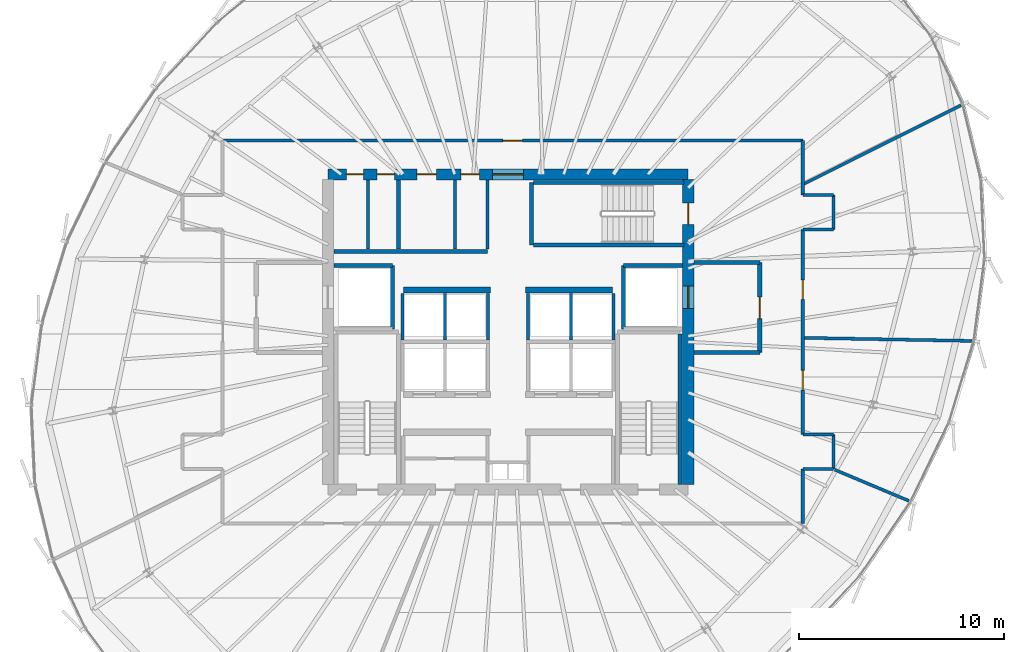
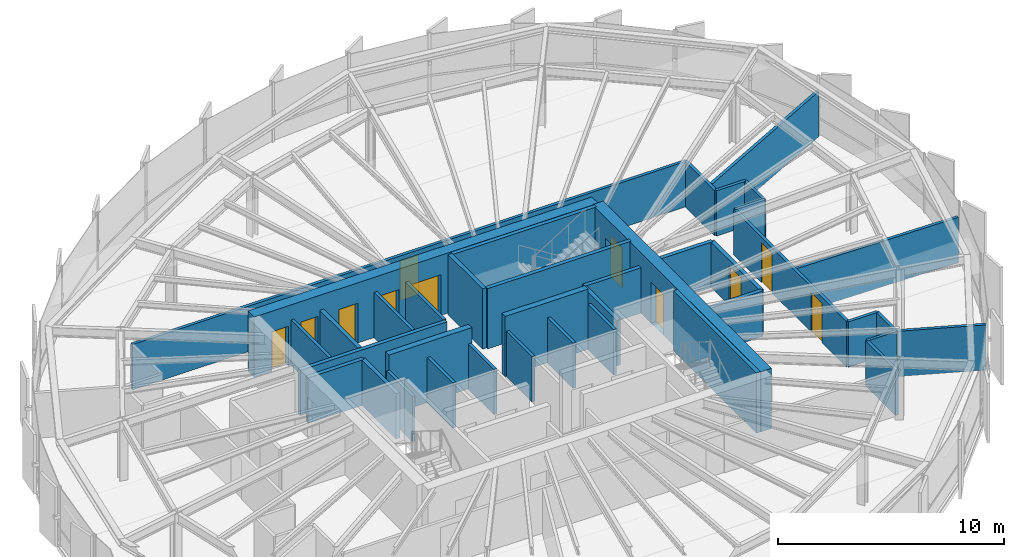
# One storey, part 30 of 34: 39 walls, 11 doors, 11 openings.
"""IFC4 building model written with IfcOpenShell, lengths in metres."""

from ifc_helpers import new_model, si_unit, direction, frame, frame_2d, origin, place, context, subcontext, project, spatial, rectangle, extrude, source, transform, mapped, material, layer, layer_set, type_object, element, fill, save


model = new_model("IFC4")

# Units and contexts
model_context = context("Model", 3, precision=1e-05, world=origin(), true_north=direction((0.0, 1.0)))
body_context = subcontext(model_context, "Body", "Model", "MODEL_VIEW")
ifc_project = project(units=[si_unit("LENGTHUNIT", "METRE"), si_unit("AREAUNIT", "SQUARE_METRE"), si_unit("VOLUMEUNIT", "CUBIC_METRE"), si_unit("PLANEANGLEUNIT", "RADIAN"), si_unit("MASSUNIT", "GRAM", prefix="KILO"), si_unit("THERMODYNAMICTEMPERATUREUNIT", "KELVIN")], contexts=[model_context])

# Site, building, storey
site_placement = place(None, origin())
site = spatial("IfcSite", under=ifc_project, at=site_placement, CompositionType="ELEMENT")
building_placement = place(site_placement, origin())
building = spatial("IfcBuilding", under=site, at=building_placement, Name="Kethvar Cultural Tower", CompositionType="ELEMENT")
storey_placement = place(building_placement, frame((0.0, 0.0, 207.89990234375)))
storey = spatial("IfcBuildingStorey", under=building, at=storey_placement, Name="L54", CompositionType="ELEMENT", Elevation=207.89990234375)

# Wall, openings, doors
ifc_material_1 = material(Name="Concrete C60/75", Category="concrete")
ifc_layer_1 = layer(ifc_material_1, 0.550048828125, Name="Concrete C60/75", Category="concrete")
ifc_layer_set_1 = layer_set([ifc_layer_1], Name="Concrete C60/75 (550 mm)")
wall_type_1 = type_object("IfcWallType", Name="WL-CORE-550", PredefinedType="SHEAR", material=ifc_layer_set_1)
wall_1_placement = place(storey_placement, frame((55.60009765625, 35.5, 0.0), z_axis=(0.0, 0.0, 1.0), x_axis=(-1.0, 0.0, 0.0)))
wall_1 = element("IfcWall", 1, at=wall_1_placement, inside=storey, type_object=wall_type_1, Name="L54 Core Shear Wall N", PredefinedType="SHEAR", context=body_context, shape_type="SweptSolid", body=[
    extrude(rectangle(XDim=17.60009765625, YDim=0.550048828125, at=frame_2d((8.800048828125, 0.0))), origin(), (0.0, 0.0, 1.0), 3.260009765625),
])
opening_1_placement = place(wall_1_placement, frame((8.050048828125, 0.0, 0.0)))
opening_1 = element("IfcOpeningElement", 2, at=opening_1_placement, cuts=wall_1, Name="Opening D-L54-LN", PredefinedType="OPENING", context=body_context, shape_type="SweptSolid", body=[
    extrude(rectangle(XDim=1.5, YDim=2.199951171875, at=frame_2d((0.75, 1.10009765625))), frame((0.0, 0.284912109375, 0.0), z_axis=(0.0, -1.0, 0.0), x_axis=(1.0, 0.0, 0.0)), (0.0, 0.0, 1.0), 0.570068359375),
])
opening_2_placement = place(wall_1_placement, frame((15.85009765625, 0.0, 0.0)))
opening_2 = element("IfcOpeningElement", 3, at=opening_2_placement, cuts=wall_1, Name="Opening D-L54-E1", PredefinedType="OPENING", context=body_context, shape_type="SweptSolid", body=[
    extrude(rectangle(XDim=0.85009765625, YDim=2.14990234375, at=frame_2d((0.425048828125, 1.074951171875))), frame((0.0, 0.284912109375, 0.0), z_axis=(0.0, -1.0, 0.0), x_axis=(1.0, 0.0, 0.0)), (0.0, 0.0, 1.0), 0.570068359375),
])
opening_3_placement = place(wall_1_placement, frame((14.35009765625, 0.0, 0.0)))
opening_3 = element("IfcOpeningElement", 4, at=opening_3_placement, cuts=wall_1, Name="Opening D-L54-E2", PredefinedType="OPENING", context=body_context, shape_type="SweptSolid", body=[
    extrude(rectangle(XDim=0.85009765625, YDim=2.14990234375, at=frame_2d((0.425048828125, 1.074951171875))), frame((0.0, 0.284912109375, 0.0), z_axis=(0.0, -1.0, 0.0), x_axis=(1.0, 0.0, 0.0)), (0.0, 0.0, 1.0), 0.570068359375),
])
opening_4_placement = place(wall_1_placement, frame((12.300048828125, 0.0, 0.0)))
opening_4 = element("IfcOpeningElement", 5, at=opening_4_placement, cuts=wall_1, Name="Opening D-L54-W1", PredefinedType="OPENING", context=body_context, shape_type="SweptSolid", body=[
    extrude(rectangle(XDim=0.949951171875, YDim=2.14990234375, at=frame_2d((0.47509765625, 1.074951171875))), frame((0.0, 0.284912109375, 0.0), z_axis=(0.0, -1.0, 0.0), x_axis=(1.0, 0.0, 0.0)), (0.0, 0.0, 1.0), 0.570068359375),
])
opening_5_placement = place(wall_1_placement, frame((10.199951171875, 0.0, 0.0)))
opening_5 = element("IfcOpeningElement", 6, at=opening_5_placement, cuts=wall_1, Name="Opening D-L54-W2", PredefinedType="OPENING", context=body_context, shape_type="SweptSolid", body=[
    extrude(rectangle(XDim=0.89990234375, YDim=2.14990234375, at=frame_2d((0.449951171875, 1.074951171875))), frame((0.0, 0.284912109375, 0.0), z_axis=(0.0, -1.0, 0.0), x_axis=(1.0, 0.0, 0.0)), (0.0, 0.0, 1.0), 0.570068359375),
])
ifc_material_2 = material(Name="Architectural Oak Timber", Category="wood")
door_type_1 = type_object("IfcDoorType", Name="DR-DBL-FD60-1500", OperationType="DOUBLE_DOOR_SINGLE_SWING", PredefinedType="DOOR", material=ifc_material_2)
shared_shape_1 = source(origin(), body_context, "Body", "SweptSolid", [
    extrude(rectangle(XDim=1.5, YDim=2.199951171875, at=frame_2d((0.75, 1.10009765625))), frame((0.0, 0.02490234375, 0.0), z_axis=(0.0, -1.0, 0.0), x_axis=(1.0, 0.0, 0.0)), (0.0, 0.0, 1.0), 0.050048828125),
])
door_1_placement = place(opening_1_placement, origin())
door_1 = element("IfcDoor", 7, at=door_1_placement, inside=storey, type_object=door_type_1, Name="L54 Lift Lobby Concourse Door", OperationType="DOUBLE_DOOR_SINGLE_SWING", OverallHeight=2.199951171875, OverallWidth=1.5, PredefinedType="DOOR", context=body_context, shape_type="MappedRepresentation", body=[
    mapped(shared_shape_1, transform((0.0, 0.0, 0.0), scale=1.0)),
])
fill(opening_1, door_1)
door_type_2 = type_object("IfcDoorType", Name="DR-FD30-950", OperationType="NOTDEFINED", PredefinedType="DOOR", material=ifc_material_2)
shared_shape_2 = source(origin(), body_context, "Body", "SweptSolid", [
    extrude(rectangle(XDim=0.949951171875, YDim=2.14990234375, at=frame_2d((0.47509765625, 1.074951171875))), frame((0.0, 0.02490234375, 0.0), z_axis=(0.0, -1.0, 0.0), x_axis=(1.0, 0.0, 0.0)), (0.0, 0.0, 1.0), 0.050048828125),
])
door_2_placement = place(opening_4_placement, origin())
door_2 = element("IfcDoor", 8, at=door_2_placement, inside=storey, type_object=door_type_2, Name="L54 Public Washroom Door", OperationType="SINGLE_SWING_LEFT", OverallHeight=2.14990234375, OverallWidth=0.949951171875, PredefinedType="DOOR", context=body_context, shape_type="MappedRepresentation", body=[
    mapped(shared_shape_2, transform((0.0, 0.0, 0.0), scale=1.0)),
])
fill(opening_4, door_2)
door_type_3 = type_object("IfcDoorType", Name="DR-FD30-900", OperationType="NOTDEFINED", PredefinedType="DOOR", material=ifc_material_2)
shared_shape_3 = source(origin(), body_context, "Body", "SweptSolid", [
    extrude(rectangle(XDim=0.89990234375, YDim=2.14990234375, at=frame_2d((0.449951171875, 1.074951171875))), frame((0.0, 0.02490234375, 0.0), z_axis=(0.0, -1.0, 0.0), x_axis=(1.0, 0.0, 0.0)), (0.0, 0.0, 1.0), 0.050048828125),
])
door_3_placement = place(opening_5_placement, origin())
door_3 = element("IfcDoor", 9, at=door_3_placement, inside=storey, type_object=door_type_3, Name="L54 Accessible Washroom Door", OperationType="SINGLE_SWING_RIGHT", OverallHeight=2.14990234375, OverallWidth=0.89990234375, PredefinedType="DOOR", context=body_context, shape_type="MappedRepresentation", body=[
    mapped(shared_shape_3, transform((0.0, 0.0, 0.0), scale=1.0)),
])
fill(opening_5, door_3)
ifc_material_3 = material(Name="Steel S355J2", Category="steel")
door_type_4 = type_object("IfcDoorType", Name="DR-FD30-850", OperationType="NOTDEFINED", PredefinedType="DOOR", material=ifc_material_3)
shared_shape_4 = source(origin(), body_context, "Body", "SweptSolid", [
    extrude(rectangle(XDim=0.85009765625, YDim=2.14990234375, at=frame_2d((0.425048828125, 1.074951171875))), frame((0.0, 0.02490234375, 0.0), z_axis=(0.0, -1.0, 0.0), x_axis=(1.0, 0.0, 0.0)), (0.0, 0.0, 1.0), 0.050048828125),
])
door_4_placement = place(opening_2_placement, origin())
door_4 = element("IfcDoor", 10, at=door_4_placement, inside=storey, type_object=door_type_4, Name="L54 Electrical Riser Door", OperationType="SINGLE_SWING_LEFT", OverallHeight=2.14990234375, OverallWidth=0.85009765625, PredefinedType="DOOR", context=body_context, shape_type="MappedRepresentation", body=[
    mapped(shared_shape_4, transform((0.0, 0.0, 0.0), scale=1.0)),
])
fill(opening_2, door_4)
door_5_placement = place(opening_3_placement, origin())
door_5 = element("IfcDoor", 11, at=door_5_placement, inside=storey, type_object=door_type_4, Name="L54 Chilled Water Riser Door", OperationType="SINGLE_SWING_RIGHT", OverallHeight=2.14990234375, OverallWidth=0.85009765625, PredefinedType="DOOR", context=body_context, shape_type="MappedRepresentation", body=[
    mapped(shared_shape_4, transform((0.0, 0.0, 0.0), scale=1.0)),
])
fill(opening_3, door_5)

wall_2_placement = place(storey_placement, frame((55.60009765625, 20.340087890625, 0.0), z_axis=(0.0, 0.0, 1.0), x_axis=(0.0, 1.0, 0.0)))
wall_2 = element("IfcWall", 12, at=wall_2_placement, inside=storey, type_object=wall_type_1, Name="L54 Core Shear Wall E", PredefinedType="SHEAR", context=body_context, shape_type="SweptSolid", body=[
    extrude(rectangle(XDim=14.919921875, YDim=0.550048828125, at=frame_2d((7.4599609375, 0.0))), origin(), (0.0, 0.0, 1.0), 3.260009765625),
])
opening_6_placement = place(wall_2_placement, frame((12.7099609375, 0.0, 0.0)))
opening_6 = element("IfcOpeningElement", 13, at=opening_6_placement, cuts=wall_2, Name="Opening D-L54-S3", PredefinedType="OPENING", context=body_context, shape_type="SweptSolid", body=[
    extrude(rectangle(XDim=1.050048828125, YDim=2.14990234375, at=frame_2d((0.52490234375, 1.074951171875))), frame((0.0, 0.284912109375, 0.0), z_axis=(0.0, -1.0, 0.0), x_axis=(1.0, 0.0, 0.0)), (0.0, 0.0, 1.0), 0.570068359375),
])
opening_7_placement = place(wall_2_placement, frame((8.610107421875, 0.0, 0.0)))
opening_7 = element("IfcOpeningElement", 14, at=opening_7_placement, cuts=wall_2, Name="Opening LD-2", PredefinedType="OPENING", context=body_context, shape_type="SweptSolid", body=[
    extrude(rectangle(XDim=1.10009765625, YDim=2.199951171875, at=frame_2d((0.550048828125, 1.10009765625))), frame((0.0, 0.284912109375, 0.0), z_axis=(0.0, -1.0, 0.0), x_axis=(1.0, 0.0, 0.0)), (0.0, 0.0, 1.0), 0.570068359375),
])
door_type_5 = type_object("IfcDoorType", Name="DR-FD60-1050", OperationType="NOTDEFINED", PredefinedType="DOOR", material=ifc_material_3)
shared_shape_5 = source(origin(), body_context, "Body", "SweptSolid", [
    extrude(rectangle(XDim=1.050048828125, YDim=2.14990234375, at=frame_2d((0.52490234375, 1.074951171875))), frame((0.0, 0.02490234375, 0.0), z_axis=(0.0, -1.0, 0.0), x_axis=(1.0, 0.0, 0.0)), (0.0, 0.0, 1.0), 0.050048828125),
])
door_6_placement = place(opening_6_placement, origin())
door_6 = element("IfcDoor", 15, at=door_6_placement, inside=storey, type_object=door_type_5, Name="L54 Exit Stair 3 Door", OperationType="SINGLE_SWING_LEFT", OverallHeight=2.14990234375, OverallWidth=1.050048828125, PredefinedType="DOOR", context=body_context, shape_type="MappedRepresentation", body=[
    mapped(shared_shape_5, transform((0.0, 0.0, 0.0), scale=1.0)),
])
fill(opening_6, door_6)
door_type_6 = type_object("IfcDoorType", Name="DR-LIFT-SLIDE-1100", OperationType="NOTDEFINED", PredefinedType="DOOR", material=ifc_material_3)
shared_shape_6 = source(origin(), body_context, "Body", "SweptSolid", [
    extrude(rectangle(XDim=1.10009765625, YDim=2.199951171875, at=frame_2d((0.550048828125, 1.10009765625))), frame((0.0, 0.02490234375, 0.0), z_axis=(0.0, -1.0, 0.0), x_axis=(1.0, 0.0, 0.0)), (0.0, 0.0, 1.0), 0.050048828125),
])
door_7_placement = place(opening_7_placement, origin())
door_7 = element("IfcDoor", 16, at=door_7_placement, inside=storey, type_object=door_type_6, Name="L54 Firefighting Lift Landing Door FFL-02", OperationType="SLIDING_TO_RIGHT", OverallHeight=2.199951171875, OverallWidth=1.10009765625, PredefinedType="DOOR", context=body_context, shape_type="MappedRepresentation", body=[
    mapped(shared_shape_6, transform((0.0, 0.0, 0.0), scale=1.0)),
])
fill(opening_7, door_7)

# Walls
ifc_material_4 = material(Name="Gypsum Fireboard Partition")
ifc_layer_2 = layer(ifc_material_4, 0.14990234375, Name="Gypsum Fireboard Partition")
ifc_layer_set_2 = layer_set([ifc_layer_2], Name="Gypsum Fireboard Partition (150 mm)")
wall_type_2 = type_object("IfcWallType", Name="WL-FIRE-150", PredefinedType="PARTITIONING", material=ifc_layer_set_2)
for number, where, z_axis, x_axis, name in (
    (17, (41.64990234375, 27.409912109375, 0.0), (0.0, 0.0, 1.0), (0.0, 1.0, 0.0), "L54 High-Rise Lift Shaft Outer Wall W"),
    (18, (43.72509765625, 27.409912109375, 0.0), (0.0, 0.0, 1.0), (0.0, 1.0, 0.0), "L54 High-Rise Lift Shaft Divider W"),
    (19, (45.824951171875, 27.409912109375, 0.0), (0.0, 0.0, 1.0), (0.0, 1.0, 0.0), "L54 High-Rise Lift Shaft Concourse Wall W"),
    (20, (47.77490234375, 27.409912109375, 0.0), (0.0, 0.0, 1.0), (0.0, 1.0, 0.0), "L54 High-Rise Lift Shaft Concourse Wall E"),
    (21, (49.875, 27.409912109375, 0.0), (0.0, 0.0, 1.0), (0.0, 1.0, 0.0), "L54 High-Rise Lift Shaft Divider E"),
    (22, (51.949951171875, 27.409912109375, 0.0), (0.0, 0.0, 1.0), (0.0, 1.0, 0.0), "L54 High-Rise Lift Shaft Outer Wall E"),
):
    element("IfcWall", number, at=place(storey_placement, frame(where, z_axis=z_axis, x_axis=x_axis)), inside=storey, type_object=wall_type_2, Name=name, PredefinedType="PARTITIONING", context=body_context, shape_type="SweptSolid", body=[
        extrude(rectangle(XDim=2.27001953125, YDim=0.14990234375, at=frame_2d((1.135009765625, 0.0))), origin(), (0.0, 0.0, 1.0), 2.455078125),
    ])
for number, where, z_axis, x_axis, name in (
    (23, (45.800048828125, 31.85009765625, 0.0), (0.0, 0.0, 1.0), (0.0, 1.0, 0.0), "L54 Sanitary Spine Wall"),
    (24, (39.949951171875, 31.85009765625, 0.0), (0.0, 0.0, 1.0), (0.0, 1.0, 0.0), "L54 NW Riser Divider"),
):
    element("IfcWall", number, at=place(storey_placement, frame(where, z_axis=z_axis, x_axis=x_axis)), inside=storey, type_object=wall_type_2, Name=name, PredefinedType="PARTITIONING", context=body_context, shape_type="SweptSolid", body=[
        extrude(rectangle(XDim=3.364990234375, YDim=0.14990234375, at=frame_2d((1.6826171875, 0.0))), origin(), (0.0, 0.0, 1.0), 2.455078125),
    ])
wall_3_placement = place(storey_placement, frame((61.199951171875, 18.449951171875, 0.0), z_axis=(0.0, 0.0, 1.0), x_axis=(0.0, 1.0, 0.0)))
element("IfcWall", 25, at=wall_3_placement, inside=storey, type_object=wall_type_2, Name="L54 Corridor Rated Wall E1", PredefinedType="PARTITIONING", context=body_context, shape_type="SweptSolid", body=[
    extrude(rectangle(XDim=2.650146484375, YDim=0.14990234375, at=frame_2d((1.3251953125, 0.0))), origin(), (0.0, 0.0, 1.0), 2.455078125),
])
wall_4_placement = place(storey_placement, frame((61.199951171875, 21.10009765625, 0.0), z_axis=(0.0, 0.0, 1.0), x_axis=(1.0, 0.0, 0.0)))
element("IfcWall", 26, at=wall_4_placement, inside=storey, type_object=wall_type_2, Name="L54 Corridor Rated Wall ESB", PredefinedType="PARTITIONING", context=body_context, shape_type="SweptSolid", body=[
    extrude(rectangle(XDim=1.5, YDim=0.14990234375, at=frame_2d((0.75, 0.0))), origin(), (0.0, 0.0, 1.0), 2.455078125),
])
wall_5_placement = place(storey_placement, frame((62.699951171875, 21.10009765625, 0.0), z_axis=(0.0, 0.0, 1.0), x_axis=(0.0, 1.0, 0.0)))
element("IfcWall", 27, at=wall_5_placement, inside=storey, type_object=wall_type_2, Name="L54 Corridor Rated Wall ES", PredefinedType="PARTITIONING", context=body_context, shape_type="SweptSolid", body=[
    extrude(rectangle(XDim=1.699951171875, YDim=0.14990234375, at=frame_2d((0.85009765625, 0.0))), origin(), (0.0, 0.0, 1.0), 2.455078125),
])
wall_6_placement = place(storey_placement, frame((62.699951171875, 22.800048828125, 0.0), z_axis=(0.0, 0.0, 1.0), x_axis=(-1.0, 0.0, 0.0)))
element("IfcWall", 28, at=wall_6_placement, inside=storey, type_object=wall_type_2, Name="L54 Corridor Rated Wall EST", PredefinedType="PARTITIONING", context=body_context, shape_type="SweptSolid", body=[
    extrude(rectangle(XDim=1.5, YDim=0.14990234375, at=frame_2d((0.75, 0.0))), origin(), (0.0, 0.0, 1.0), 2.455078125),
])

# Wall, openings, doors
wall_7_placement = place(storey_placement, frame((61.199951171875, 22.800048828125, 0.0), z_axis=(0.0, 0.0, 1.0), x_axis=(0.0, 1.0, 0.0)))
wall_7 = element("IfcWall", 29, at=wall_7_placement, inside=storey, type_object=wall_type_2, Name="L54 Corridor Rated Wall EM", PredefinedType="PARTITIONING", context=body_context, shape_type="SweptSolid", body=[
    extrude(rectangle(XDim=10.0, YDim=0.14990234375, at=frame_2d((5.0, 0.0))), origin(), (0.0, 0.0, 1.0), 2.455078125),
])
opening_8_placement = place(wall_7_placement, frame((2.172607421875, 0.0, 0.0)))
opening_8 = element("IfcOpeningElement", 30, at=opening_8_placement, cuts=wall_7, Name="Opening D-L54-03", PredefinedType="OPENING", context=body_context, shape_type="SweptSolid", body=[
    extrude(rectangle(XDim=0.949951171875, YDim=2.14990234375, at=frame_2d((0.47509765625, 1.074951171875))), frame((0.0, 0.0849609375, 0.0), z_axis=(0.0, -1.0, 0.0), x_axis=(1.0, 0.0, 0.0)), (0.0, 0.0, 1.0), 0.169921875),
])
opening_9_placement = place(wall_7_placement, frame((6.592529296875, 0.0, 0.0)))
opening_9 = element("IfcOpeningElement", 31, at=opening_9_placement, cuts=wall_7, Name="Opening D-L54-04", PredefinedType="OPENING", context=body_context, shape_type="SweptSolid", body=[
    extrude(rectangle(XDim=0.949951171875, YDim=2.14990234375, at=frame_2d((0.47509765625, 1.074951171875))), frame((0.0, 0.0849609375, 0.0), z_axis=(0.0, -1.0, 0.0), x_axis=(1.0, 0.0, 0.0)), (0.0, 0.0, 1.0), 0.169921875),
])
door_8_placement = place(opening_8_placement, origin())
door_8 = element("IfcDoor", 32, at=door_8_placement, inside=storey, type_object=door_type_2, Name="L54 Decorative Arts Craft Workshop 03 Door", OperationType="SINGLE_SWING_LEFT", OverallHeight=2.14990234375, OverallWidth=0.949951171875, PredefinedType="DOOR", context=body_context, shape_type="MappedRepresentation", body=[
    mapped(shared_shape_2, transform((0.0, 0.0, 0.0), scale=1.0)),
])
fill(opening_8, door_8)
door_9_placement = place(opening_9_placement, origin())
door_9 = element("IfcDoor", 33, at=door_9_placement, inside=storey, type_object=door_type_2, Name="L54 Scholars' Den Lounge 04 Door", OperationType="SINGLE_SWING_RIGHT", OverallHeight=2.14990234375, OverallWidth=0.949951171875, PredefinedType="DOOR", context=body_context, shape_type="MappedRepresentation", body=[
    mapped(shared_shape_2, transform((0.0, 0.0, 0.0), scale=1.0)),
])
fill(opening_9, door_9)

# Walls
wall_8_placement = place(storey_placement, frame((61.199951171875, 32.800048828125, 0.0), z_axis=(0.0, 0.0, 1.0), x_axis=(1.0, 0.0, 0.0)))
element("IfcWall", 34, at=wall_8_placement, inside=storey, type_object=wall_type_2, Name="L54 Corridor Rated Wall ENB", PredefinedType="PARTITIONING", context=body_context, shape_type="SweptSolid", body=[
    extrude(rectangle(XDim=1.5, YDim=0.14990234375, at=frame_2d((0.75, 0.0))), origin(), (0.0, 0.0, 1.0), 2.455078125),
])
wall_9_placement = place(storey_placement, frame((62.699951171875, 32.800048828125, 0.0), z_axis=(0.0, 0.0, 1.0), x_axis=(0.0, 1.0, 0.0)))
element("IfcWall", 35, at=wall_9_placement, inside=storey, type_object=wall_type_2, Name="L54 Corridor Rated Wall EN", PredefinedType="PARTITIONING", context=body_context, shape_type="SweptSolid", body=[
    extrude(rectangle(XDim=1.699951171875, YDim=0.14990234375, at=frame_2d((0.85009765625, 0.0))), origin(), (0.0, 0.0, 1.0), 2.455078125),
])
wall_10_placement = place(storey_placement, frame((62.699951171875, 34.5, 0.0), z_axis=(0.0, 0.0, 1.0), x_axis=(-1.0, 0.0, 0.0)))
element("IfcWall", 36, at=wall_10_placement, inside=storey, type_object=wall_type_2, Name="L54 Corridor Rated Wall ENT", PredefinedType="PARTITIONING", context=body_context, shape_type="SweptSolid", body=[
    extrude(rectangle(XDim=1.5, YDim=0.14990234375, at=frame_2d((0.75, 0.0))), origin(), (0.0, 0.0, 1.0), 2.455078125),
])
wall_11_placement = place(storey_placement, frame((61.199951171875, 34.5, 0.0), z_axis=(0.0, 0.0, 1.0), x_axis=(0.0, 1.0, 0.0)))
element("IfcWall", 37, at=wall_11_placement, inside=storey, type_object=wall_type_2, Name="L54 Corridor Rated Wall E2", PredefinedType="PARTITIONING", context=body_context, shape_type="SweptSolid", body=[
    extrude(rectangle(XDim=2.64990234375, YDim=0.14990234375, at=frame_2d((1.324951171875, 0.0))), origin(), (0.0, 0.0, 1.0), 2.455078125),
])

# Wall, opening, door
wall_12_placement = place(storey_placement, frame((61.199951171875, 37.14990234375, 0.0), z_axis=(0.0, 0.0, 1.0), x_axis=(-1.0, 0.0, 0.0)))
wall_12 = element("IfcWall", 38, at=wall_12_placement, inside=storey, type_object=wall_type_2, Name="L54 Corridor Rated Wall N", PredefinedType="PARTITIONING", context=body_context, shape_type="SweptSolid", body=[
    extrude(rectangle(XDim=28.349853515625, YDim=0.14990234375, at=frame_2d((14.1748046875, 0.0))), origin(), (0.0, 0.0, 1.0), 2.455078125),
])
opening_10_placement = place(wall_12_placement, frame((13.699951171875, 0.0, 0.0)))
opening_10 = element("IfcOpeningElement", 39, at=opening_10_placement, cuts=wall_12, Name="Opening D-L54-05", PredefinedType="OPENING", context=body_context, shape_type="SweptSolid", body=[
    extrude(rectangle(XDim=0.949951171875, YDim=2.14990234375, at=frame_2d((0.47509765625, 1.074951171875))), frame((0.0, 0.0849609375, 0.0), z_axis=(0.0, -1.0, 0.0), x_axis=(1.0, 0.0, 0.0)), (0.0, 0.0, 1.0), 0.169921875),
])
door_10_placement = place(opening_10_placement, origin())
door_10 = element("IfcDoor", 40, at=door_10_placement, inside=storey, type_object=door_type_2, Name="L54 Symposium Conference Room 05 Door", OperationType="SINGLE_SWING_LEFT", OverallHeight=2.14990234375, OverallWidth=0.949951171875, PredefinedType="DOOR", context=body_context, shape_type="MappedRepresentation", body=[
    mapped(shared_shape_2, transform((0.0, 0.0, 0.0), scale=1.0)),
])
fill(opening_10, door_10)

# Walls
ifc_material_5 = material(Name="Concrete C40/50", Category="concrete")
ifc_layer_3 = layer(ifc_material_5, 0.199951171875, Name="Concrete C40/50", Category="concrete")
ifc_layer_set_3 = layer_set([ifc_layer_3], Name="Concrete C40/50 (200 mm)")
wall_type_3 = type_object("IfcWallType", Name="WL-FIRE-200", PredefinedType="PARTITIONING", material=ifc_layer_set_3)
wall_13_placement = place(storey_placement, frame((41.14990234375, 27.949951171875, 0.0), z_axis=(0.0, 0.0, 1.0), x_axis=(0.0, 1.0, 0.0)))
element("IfcWall", 41, at=wall_13_placement, inside=storey, type_object=wall_type_3, Name="L54 FFL-01 Shaft Inner Wall", PredefinedType="PARTITIONING", context=body_context, shape_type="SweptSolid", body=[
    extrude(rectangle(XDim=3.10009765625, YDim=0.199951171875, at=frame_2d((1.550048828125, 0.0))), origin(), (0.0, 0.0, 1.0), 2.455078125),
])
wall_14_placement = place(storey_placement, frame((38.284912109375, 31.050048828125, 0.0), z_axis=(0.0, 0.0, 1.0), x_axis=(1.0, 0.0, 0.0)))
element("IfcWall", 42, at=wall_14_placement, inside=storey, type_object=wall_type_3, Name="L54 FFL-01 Shaft North Wall", PredefinedType="PARTITIONING", context=body_context, shape_type="SweptSolid", body=[
    extrude(rectangle(XDim=2.864990234375, YDim=0.199951171875, at=frame_2d((1.4326171875, 0.0))), origin(), (0.0, 0.0, 1.0), 2.455078125),
])
wall_15_placement = place(storey_placement, frame((52.449951171875, 27.949951171875, 0.0), z_axis=(0.0, 0.0, 1.0), x_axis=(0.0, 1.0, 0.0)))
element("IfcWall", 43, at=wall_15_placement, inside=storey, type_object=wall_type_3, Name="L54 FFL-02 Shaft Inner Wall", PredefinedType="PARTITIONING", context=body_context, shape_type="SweptSolid", body=[
    extrude(rectangle(XDim=3.10009765625, YDim=0.199951171875, at=frame_2d((1.550048828125, 0.0))), origin(), (0.0, 0.0, 1.0), 2.455078125),
])
wall_16_placement = place(storey_placement, frame((52.449951171875, 31.050048828125, 0.0), z_axis=(0.0, 0.0, 1.0), x_axis=(1.0, 0.0, 0.0)))
element("IfcWall", 44, at=wall_16_placement, inside=storey, type_object=wall_type_3, Name="L54 FFL-02 Shaft North Wall", PredefinedType="PARTITIONING", context=body_context, shape_type="SweptSolid", body=[
    extrude(rectangle(XDim=2.864990234375, YDim=0.199951171875, at=frame_2d((1.4326171875, 0.0))), origin(), (0.0, 0.0, 1.0), 2.455078125),
])

# Wall, opening, door
wall_17_placement = place(storey_placement, frame((59.10009765625, 26.800048828125, 0.0), z_axis=(0.0, 0.0, 1.0), x_axis=(0.0, 1.0, 0.0)))
wall_17 = element("IfcWall", 45, at=wall_17_placement, inside=storey, type_object=wall_type_3, Name="L54 Firefighting Lobby 2 Wall", PredefinedType="PARTITIONING", context=body_context, shape_type="SweptSolid", body=[
    extrude(rectangle(XDim=4.39990234375, YDim=0.199951171875, at=frame_2d((2.199951171875, 0.0))), origin(), (0.0, 0.0, 1.0), 2.455078125),
])
opening_11_placement = place(wall_17_placement, frame((1.64990234375, 0.0, 0.0)))
opening_11 = element("IfcOpeningElement", 46, at=opening_11_placement, cuts=wall_17, Name="Opening D-L54-F2", PredefinedType="OPENING", context=body_context, shape_type="SweptSolid", body=[
    extrude(rectangle(XDim=1.050048828125, YDim=2.14990234375, at=frame_2d((0.52490234375, 1.074951171875))), frame((0.0, 0.10986328125, 0.0), z_axis=(0.0, -1.0, 0.0), x_axis=(1.0, 0.0, 0.0)), (0.0, 0.0, 1.0), 0.219970703125),
])
door_11_placement = place(opening_11_placement, origin())
door_11 = element("IfcDoor", 47, at=door_11_placement, inside=storey, type_object=door_type_5, Name="L54 Firefighting Lobby 2 Fire Door", OperationType="SINGLE_SWING_LEFT", OverallHeight=2.14990234375, OverallWidth=1.050048828125, PredefinedType="DOOR", context=body_context, shape_type="MappedRepresentation", body=[
    mapped(shared_shape_5, transform((0.0, 0.0, 0.0), scale=1.0)),
])
fill(opening_11, door_11)

# Walls
for number, where, z_axis, x_axis, name in (
    (48, (55.885009765625, 26.800048828125, 0.0), (0.0, 0.0, 1.0), (1.0, 0.0, 0.0), "L54 FF Lobby 2 South Wall"),
    (49, (55.885009765625, 31.199951171875, 0.0), (0.0, 0.0, 1.0), (1.0, 0.0, 0.0), "L54 FF Lobby 2 North Wall"),
):
    element("IfcWall", number, at=place(storey_placement, frame(where, z_axis=z_axis, x_axis=x_axis)), inside=storey, type_object=wall_type_3, Name=name, PredefinedType="PARTITIONING", context=body_context, shape_type="SweptSolid", body=[
        extrude(rectangle(XDim=3.215087890625, YDim=0.199951171875, at=frame_2d((1.607421875, 0.0))), origin(), (0.0, 0.0, 1.0), 2.455078125),
    ])
wall_18_placement = place(storey_placement, frame((41.449951171875, 31.85009765625, 0.0), z_axis=(0.0, 0.0, 1.0), x_axis=(0.0, 1.0, 0.0)))
element("IfcWall", 50, at=wall_18_placement, inside=storey, type_object=wall_type_3, Name="L54 NW Core Pocket Wall", PredefinedType="PARTITIONING", context=body_context, shape_type="SweptSolid", body=[
    extrude(rectangle(XDim=3.364990234375, YDim=0.199951171875, at=frame_2d((1.6826171875, 0.0))), origin(), (0.0, 0.0, 1.0), 2.455078125),
])
wall_19_placement = place(storey_placement, frame((38.284912109375, 31.72998046875, 0.0), z_axis=(0.0, 0.0, 1.0), x_axis=(1.0, 0.0, 0.0)))
element("IfcWall", 51, at=wall_19_placement, inside=storey, type_object=wall_type_3, Name="L54 North Core Sanitary South Wall", PredefinedType="PARTITIONING", context=body_context, shape_type="SweptSolid", body=[
    extrude(rectangle(XDim=7.51513671875, YDim=0.199951171875, at=frame_2d((3.757568359375, 0.0))), origin(), (0.0, 0.0, 1.0), 2.455078125),
])
ifc_material_6 = material(Name="Gypsum Acoustic Partition")
ifc_layer_4 = layer(ifc_material_6, 0.14990234375, Name="Gypsum Acoustic Partition")
ifc_layer_set_4 = layer_set([ifc_layer_4], Name="Gypsum Acoustic Partition (150 mm)")
wall_type_4 = type_object("IfcWallType", Name="WL-PART-150", PredefinedType="PARTITIONING", material=ifc_layer_set_4)
wall_20_placement = place(storey_placement, frame((62.76611328125, 21.069091796875, 0.0), z_axis=(0.0, 0.0, 1.0), x_axis=(0.922014169655, -0.387156132529, 0.0)))
element("IfcWall", 52, at=wall_20_placement, inside=storey, type_object=wall_type_4, Name="L54 Radial Partition Wall 03", PredefinedType="PARTITIONING", context=body_context, shape_type="SweptSolid", body=[
    extrude(rectangle(XDim=3.9140625, YDim=0.14990234375, at=frame_2d((1.95703125, 0.0))), origin(), (0.0, 0.0, 1.0), 2.455078125),
])
wall_21_placement = place(storey_placement, frame((61.280029296875, 27.513916015625, 0.0), z_axis=(0.0, 0.0, 1.0), x_axis=(0.999832007768, -0.01832910915, 0.0)))
element("IfcWall", 53, at=wall_21_placement, inside=storey, type_object=wall_type_4, Name="L54 Radial Partition Wall 04", PredefinedType="PARTITIONING", context=body_context, shape_type="SweptSolid", body=[
    extrude(rectangle(XDim=8.178466796875, YDim=0.14990234375, at=frame_2d((4.08935546875, 0.0))), origin(), (0.0, 0.0, 1.0), 2.455078125),
])
wall_22_placement = place(storey_placement, frame((61.271484375, 35.04248046875, 0.0), z_axis=(0.0, 0.0, 1.0), x_axis=(0.894119133941, 0.447829179844, 0.0)))
element("IfcWall", 54, at=wall_22_placement, inside=storey, type_object=wall_type_4, Name="L54 Radial Partition Wall 05", PredefinedType="PARTITIONING", context=body_context, shape_type="SweptSolid", body=[
    extrude(rectangle(XDim=8.565185546875, YDim=0.14990234375, at=frame_2d((4.28271484375, 0.0))), origin(), (0.0, 0.0, 1.0), 2.455078125),
])
ifc_material_7 = material(Name="Moisture-Resistant Sanitary Chase Wall")
ifc_layer_5 = layer(ifc_material_7, 0.14990234375, Name="Moisture-Resistant Sanitary Chase Wall")
ifc_layer_set_5 = layer_set([ifc_layer_5], Name="Moisture-Resistant Sanitary Chase Wall (150 mm)")
wall_type_5 = type_object("IfcWallType", Name="WL-PLUMB-150", PredefinedType="PLUMBINGWALL", material=ifc_layer_set_5)
wall_23_placement = place(storey_placement, frame((44.199951171875, 31.85009765625, 0.0), z_axis=(0.0, 0.0, 1.0), x_axis=(0.0, 1.0, 0.0)))
element("IfcWall", 55, at=wall_23_placement, inside=storey, type_object=wall_type_5, Name="L54 Sanitary Plumbing Wall", PredefinedType="PLUMBINGWALL", context=body_context, shape_type="SweptSolid", body=[
    extrude(rectangle(XDim=3.364990234375, YDim=0.14990234375, at=frame_2d((1.6826171875, 0.0))), origin(), (0.0, 0.0, 1.0), 2.455078125),
])
ifc_material_8 = material(Name="Concrete C50/60", Category="concrete")
ifc_layer_6 = layer(ifc_material_8, 0.300048828125, Name="Concrete C50/60", Category="concrete")
ifc_layer_set_6 = layer_set([ifc_layer_6], Name="Concrete C50/60 (300 mm)")
wall_type_6 = type_object("IfcWallType", Name="WL-SHAFT-300", PredefinedType="SHEAR", material=ifc_layer_set_6)
for number, where, z_axis, x_axis, name in (
    (56, (41.699951171875, 29.85009765625, 0.0), (0.0, 0.0, 1.0), (1.0, 0.0, 0.0), "L54 Core Lift Spine Wall MID3W"),
    (57, (47.64990234375, 29.85009765625, 0.0), (0.0, 0.0, 1.0), (1.0, 0.0, 0.0), "L54 Core Lift Spine Wall MID3E"),
):
    element("IfcWall", number, at=place(storey_placement, frame(where, z_axis=z_axis, x_axis=x_axis)), inside=storey, type_object=wall_type_6, Name=name, PredefinedType="SHEAR", context=body_context, shape_type="SweptSolid", body=[
        extrude(rectangle(XDim=4.25, YDim=0.300048828125, at=frame_2d((2.125, 0.0))), origin(), (0.0, 0.0, 1.0), 3.260009765625),
    ])
ifc_layer_7 = layer(ifc_material_8, 0.199951171875, Name="Concrete C50/60", Category="concrete")
ifc_layer_set_7 = layer_set([ifc_layer_7], Name="Concrete C50/60 (200 mm)")
wall_type_7 = type_object("IfcWallType", Name="WL-STSHAFT-200", PredefinedType="SHEAR", material=ifc_layer_set_7)
wall_24_placement = place(storey_placement, frame((55.2099609375, 27.699951171875, 0.0), z_axis=(0.0, 0.0, 1.0), x_axis=(0.0, -1.0, 0.0)))
element("IfcWall", 58, at=wall_24_placement, inside=storey, type_object=wall_type_7, Name="L54 ST-02 Stair Shaft Wall LEFT", PredefinedType="SHEAR", context=body_context, shape_type="SweptSolid", body=[
    extrude(rectangle(XDim=7.349853515625, YDim=0.199951171875, at=frame_2d((3.6748046875, 0.0))), origin(), (0.0, 0.0, 1.0), 3.260009765625),
])
wall_25_placement = place(storey_placement, frame((47.949951171875, 32.050048828125, 0.0), z_axis=(0.0, 0.0, 1.0), x_axis=(0.0, 1.0, 0.0)))
element("IfcWall", 59, at=wall_25_placement, inside=storey, type_object=wall_type_7, Name="L54 ST-03 Stair Shaft Wall FAR", PredefinedType="SHEAR", context=body_context, shape_type="SweptSolid", body=[
    extrude(rectangle(XDim=3.06005859375, YDim=0.199951171875, at=frame_2d((1.530029296875, 0.0))), origin(), (0.0, 0.0, 1.0), 3.260009765625),
])
for number, where, z_axis, x_axis, name in (
    (60, (48.050048828125, 35.110107421875, 0.0), (0.0, 0.0, 1.0), (1.0, 0.0, 0.0), "L54 ST-03 Stair Shaft Wall LEFT"),
    (61, (55.39990234375, 32.050048828125, 0.0), (0.0, 0.0, 1.0), (-1.0, 0.0, 0.0), "L54 ST-03 Stair Shaft Wall RIGHT"),
):
    element("IfcWall", number, at=place(storey_placement, frame(where, z_axis=z_axis, x_axis=x_axis)), inside=storey, type_object=wall_type_7, Name=name, PredefinedType="SHEAR", context=body_context, shape_type="SweptSolid", body=[
        extrude(rectangle(XDim=7.349853515625, YDim=0.199951171875, at=frame_2d((3.6748046875, 0.0))), origin(), (0.0, 0.0, 1.0), 3.260009765625),
    ])

save(model, "model.ifc")
